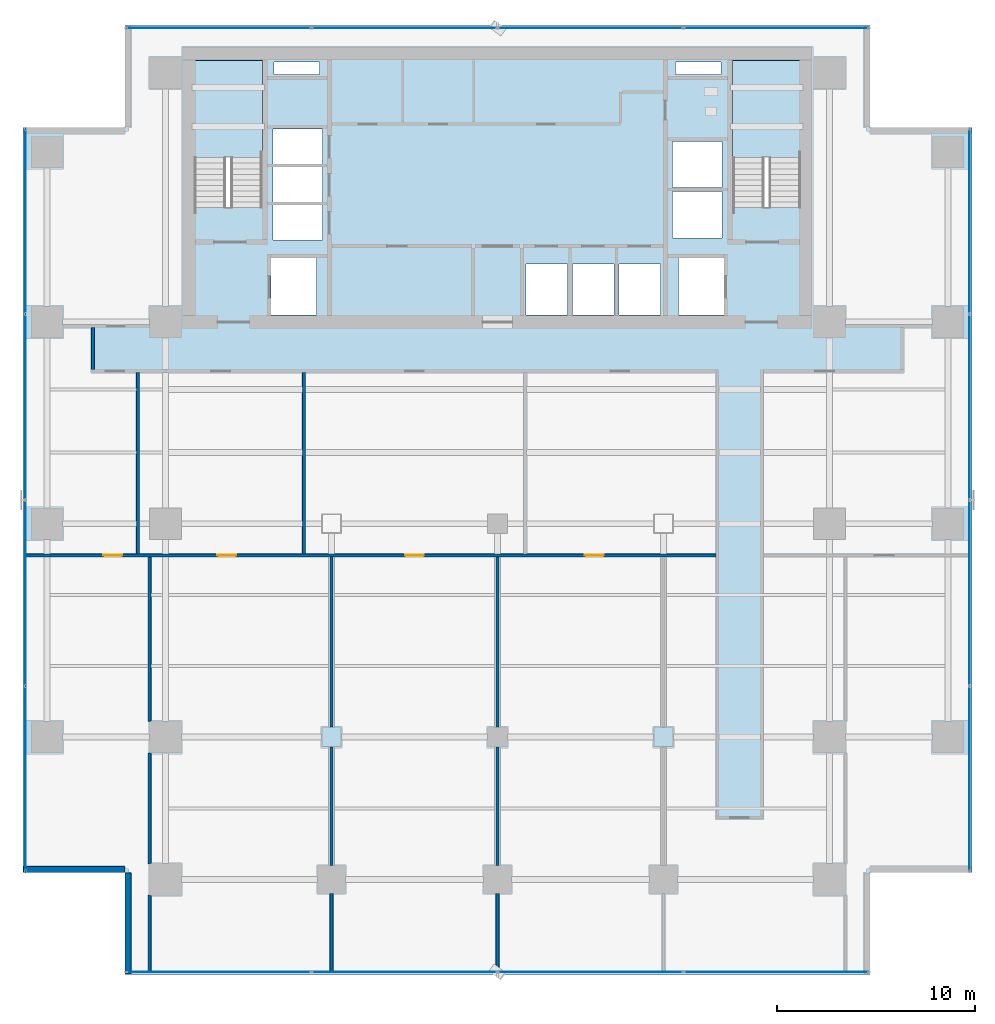
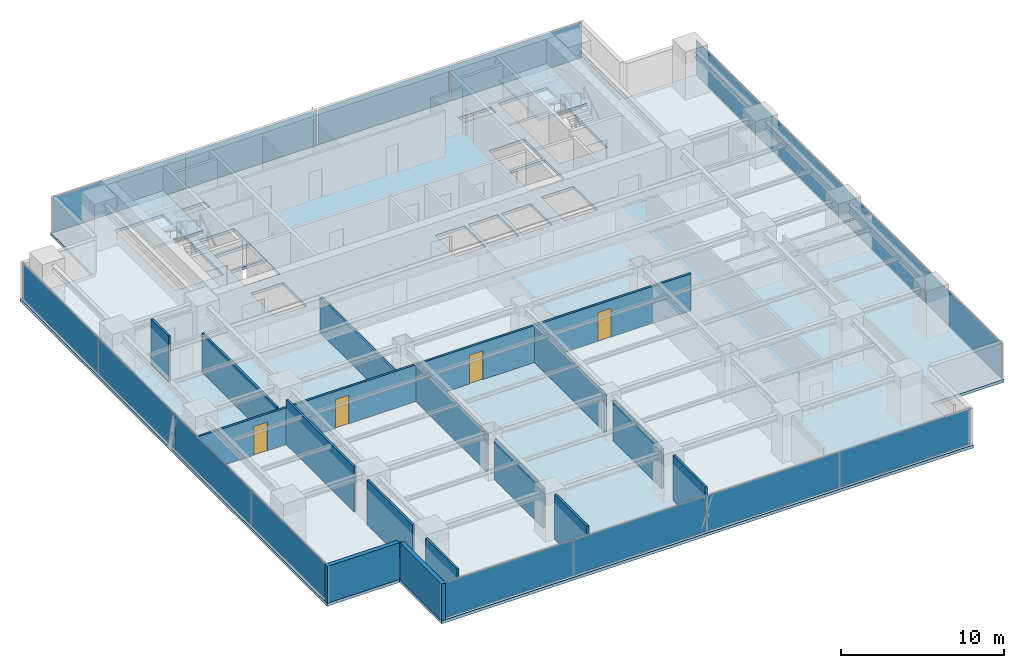
# One storey, part 20 of 28: 16 plates, 15 walls, 4 doors, 3 slabs, 4 openings, 6 elements without a shape of their own.
"""IFC4 building model written with IfcOpenShell, lengths in metres."""

from ifc_helpers import new_model, si_unit, direction, frame, frame_2d, origin, origin_2d, place, context, subcontext, project, spatial, polyline, rectangle, outline, extrude, source, transform, mapped, material, layer, layer_set, type_object, element, fill, aggregate, save


model = new_model("IFC4")

# Units and contexts
model_context = context("Model", 3, precision=1e-05, world=origin(), true_north=direction((0.0, 1.0)))
body_context = subcontext(model_context, "Body", "Model", "MODEL_VIEW")
ifc_project = project(units=[si_unit("LENGTHUNIT", "METRE"), si_unit("AREAUNIT", "SQUARE_METRE"), si_unit("VOLUMEUNIT", "CUBIC_METRE"), si_unit("PLANEANGLEUNIT", "RADIAN"), si_unit("MASSUNIT", "GRAM", prefix="KILO")], contexts=[model_context])

# Site, building, storey
site_placement = place(None, origin())
site = spatial("IfcSite", under=ifc_project, at=site_placement, CompositionType="ELEMENT")
building_placement = place(site_placement, origin())
building = spatial("IfcBuilding", under=site, at=building_placement, Name="Sumidabori Civic Tower", CompositionType="ELEMENT")
storey_placement = place(building_placement, frame((0.0, 0.0, 149.60009765625)))
storey = spatial("IfcBuildingStorey", under=building, at=storey_placement, Name="L38", CompositionType="ELEMENT", Elevation=149.60009765625)

# Stair, slab
ifc_material_1 = material(Name="Concrete C40/50", Category="concrete")
stair_type = type_object("IfcStairType", Name="ST-CORE-1600", PredefinedType="HALF_TURN_STAIR", material=ifc_material_1)
stair_1_placement = place(storey_placement, origin())
stair_1 = element("IfcStair", 1, at=stair_1_placement, inside=storey, type_object=stair_type, Name="L38 ST-1", PredefinedType="HALF_TURN_STAIR")
ifc_layer_1 = layer(ifc_material_1, 0.199951171875, Name="Concrete C40/50")
ifc_layer_set_1 = layer_set([ifc_layer_1], Name="Concrete C40/50")
slab_type_1 = type_object("IfcSlabType", Name="SL-LAND-200", PredefinedType="LANDING", material=ifc_layer_set_1)
slab_1_placement = place(storey_placement, frame((0.0, 0.0, 1.599853515625)))
slab_1 = element("IfcSlab", 2, at=slab_1_placement, type_object=slab_type_1, Name="ST-1 landing 1", PredefinedType="LANDING", context=body_context, shape_type="SweptSolid", body=[
    extrude(outline(polyline([(-11.89990234375, 18.52001953125), (-11.89990234375, 23.449951171875), (-15.340087890625, 23.449951171875), (-15.340087890625, 18.52001953125), (-11.89990234375, 18.52001953125)])), origin(), (0.0, 0.0, 1.0), 0.199951171875),
])
aggregate(stair_1, [slab_1])

stair_2_placement = place(storey_placement, origin())
stair_2 = element("IfcStair", 3, at=stair_2_placement, inside=storey, type_object=stair_type, Name="L38 ST-2", PredefinedType="HALF_TURN_STAIR")
slab_2_placement = place(storey_placement, frame((0.0, 0.0, 1.599853515625)))
slab_2 = element("IfcSlab", 4, at=slab_2_placement, type_object=slab_type_1, Name="ST-2 landing 1", PredefinedType="LANDING", context=body_context, shape_type="SweptSolid", body=[
    extrude(outline(polyline([(15.340087890625, 18.52001953125), (15.340087890625, 23.449951171875), (11.89990234375, 23.449951171875), (11.89990234375, 18.52001953125), (15.340087890625, 18.52001953125)])), origin(), (0.0, 0.0, 1.0), 0.199951171875),
])
aggregate(stair_2, [slab_2])

# Slab
ifc_layer_2 = layer(ifc_material_1, 0.219970703125, Name="Concrete C40/50")
ifc_layer_set_2 = layer_set([ifc_layer_2], Name="Concrete C40/50")
slab_type_2 = type_object("IfcSlabType", Name="SL-Z3-220", PredefinedType="FLOOR", material=ifc_layer_set_2)
slab_3_placement = place(storey_placement, frame((0.0, 0.0, -0.22021484375)))
element("IfcSlab", 5, at=slab_3_placement, inside=storey, type_object=slab_type_2, Name="Structural Slab L38", PredefinedType="FLOOR", context=body_context, shape_type="SweptSolid", body=[
    extrude(outline(polyline([(-18.85009765625, -22.800048828125), (18.85009765625, -22.800048828125), (18.85009765625, -17.64990234375), (24.0, -17.64990234375), (24.0, 20.050048828125), (18.85009765625, 20.050048828125), (18.85009765625, 25.199951171875), (-18.85009765625, 25.199951171875), (-18.85009765625, 20.050048828125), (-24.0, 20.050048828125), (-24.0, -17.64990234375), (-18.85009765625, -17.64990234375), (-18.85009765625, -22.800048828125)]), holes=[polyline([(-11.89990234375, 16.0), (-11.89990234375, 23.449951171875), (-15.340087890625, 23.449951171875), (-15.340087890625, 16.0), (-11.89990234375, 16.0)]), polyline([(15.340087890625, 16.0), (15.340087890625, 23.449951171875), (11.89990234375, 23.449951171875), (11.89990234375, 16.0), (15.340087890625, 16.0)]), polyline([(-11.449951171875, 10.550048828125), (-9.14990234375, 10.550048828125), (-9.14990234375, 13.449951171875), (-11.449951171875, 13.449951171875), (-11.449951171875, 10.550048828125)]), polyline([(9.14990234375, 10.550048828125), (11.449951171875, 10.550048828125), (11.449951171875, 13.449951171875), (9.14990234375, 13.449951171875), (9.14990234375, 10.550048828125)]), polyline([(1.449951171875, 10.550048828125), (3.550048828125, 10.550048828125), (3.550048828125, 13.14990234375), (1.449951171875, 13.14990234375), (1.449951171875, 10.550048828125)]), polyline([(3.800048828125, 10.550048828125), (5.89990234375, 10.550048828125), (5.89990234375, 13.14990234375), (3.800048828125, 13.14990234375), (3.800048828125, 10.550048828125)]), polyline([(6.14990234375, 10.550048828125), (8.25, 10.550048828125), (8.25, 13.14990234375), (6.14990234375, 13.14990234375), (6.14990234375, 10.550048828125)]), polyline([(-11.35009765625, 14.35009765625), (-8.85009765625, 14.35009765625), (-8.85009765625, 16.1201171875), (-11.35009765625, 16.1201171875), (-11.35009765625, 14.35009765625)]), polyline([(-11.35009765625, 16.27001953125), (-8.85009765625, 16.27001953125), (-8.85009765625, 18.0400390625), (-11.35009765625, 18.0400390625), (-11.35009765625, 16.27001953125)]), polyline([(-11.35009765625, 18.18994140625), (-8.85009765625, 18.18994140625), (-8.85009765625, 19.9599609375), (-11.35009765625, 19.9599609375), (-11.35009765625, 18.18994140625)]), polyline([(8.85009765625, 14.449951171875), (11.35009765625, 14.449951171875), (11.35009765625, 16.800048828125), (8.85009765625, 16.800048828125), (8.85009765625, 14.449951171875)]), polyline([(8.85009765625, 17.0), (11.35009765625, 17.0), (11.35009765625, 19.35009765625), (8.85009765625, 19.35009765625), (8.85009765625, 17.0)]), polyline([(-11.300048828125, 22.719970703125), (-9.0, 22.719970703125), (-9.0, 23.35009765625), (-11.300048828125, 23.35009765625), (-11.300048828125, 22.719970703125)]), polyline([(9.0, 22.719970703125), (11.300048828125, 22.719970703125), (11.300048828125, 23.35009765625), (9.0, 23.35009765625), (9.0, 22.719970703125)])]), origin(), (0.0, 0.0, 1.0), 0.22021484375),
])

# Curtain wall, plates
ifc_material_2 = material(Name="Anodised Bronze Aluminium AW-6063-T6", Category="aluminium")
ifc_layer_3 = layer(ifc_material_2, 0.179931640625, Name="Anodised Bronze Aluminium AW-6063-T6")
ifc_layer_set_3 = layer_set([ifc_layer_3], Name="Anodised Bronze Aluminium AW-6063-T6")
curtain_wall_type = type_object("IfcCurtainWallType", Name="CW-SYS-3", PredefinedType="NOTDEFINED", material=ifc_layer_set_3)
curtain_wall_1_placement = place(storey_placement, origin())
curtain_wall_1 = element("IfcCurtainWall", 6, at=curtain_wall_1_placement, inside=storey, type_object=curtain_wall_type, Name="Curtain Wall CW:L38:R01", PredefinedType="NOTDEFINED")
ifc_material_3 = material(Name="Low-E Solar-Control Vision Glazing", Category="glass")
ifc_layer_4 = layer(ifc_material_3, 0.028076171875, Name="Low-E Solar-Control Vision Glazing")
ifc_layer_set_4 = layer_set([ifc_layer_4], Name="Low-E Solar-Control Vision Glazing")
plate_type = type_object("IfcPlateType", Name="CW-PNL-28", PredefinedType="CURTAIN_PANEL", material=ifc_layer_set_4)
shared_shape_1 = source(origin(), body_context, "Body", "SweptSolid", [
    extrude(rectangle(XDim=9.3125, YDim=0.028076171875, at=origin_2d()), origin(), (0.0, 0.0, 1.0), 2.639892578125),
])
plate_1_placement = place(storey_placement, frame((-14.0986328125, -22.679931640625, 0.06005859375), z_axis=(0.0, 0.0, 1.0), x_axis=(1.0, 0.0, 0.0)))
plate_1 = element("IfcPlate", 7, at=plate_1_placement, type_object=plate_type, Name="CW-3 panel 1.1", PredefinedType="CURTAIN_PANEL", context=body_context, shape_type="MappedRepresentation", body=[
    mapped(shared_shape_1, transform((0.0, 0.0, 0.0), x_axis=(1.0, 0.0, 0.0), y_axis=(0.0, 1.0, 0.0), z_axis=(0.0, 0.0, 1.0), scale=1.0)),
])
plate_2_placement = place(storey_placement, frame((14.0986328125, -22.679931640625, 0.06005859375), z_axis=(0.0, 0.0, 1.0), x_axis=(1.0, 0.0, 0.0)))
plate_2 = element("IfcPlate", 8, at=plate_2_placement, type_object=plate_type, Name="CW-3 panel 4.1", PredefinedType="CURTAIN_PANEL", context=body_context, shape_type="MappedRepresentation", body=[
    mapped(shared_shape_1, transform((0.0, 0.0, 0.0), x_axis=(1.0, 0.0, 0.0), y_axis=(0.0, 1.0, 0.0), z_axis=(0.0, 0.0, 1.0), scale=1.0)),
])

curtain_wall_2_placement = place(storey_placement, origin())
curtain_wall_2 = element("IfcCurtainWall", 9, at=curtain_wall_2_placement, inside=storey, type_object=curtain_wall_type, Name="Curtain Wall CW:L38:R04", PredefinedType="NOTDEFINED")
plate_3_placement = place(storey_placement, frame((23.8798828125, -12.898681640625, 0.06005859375), z_axis=(0.0, 0.0, 1.0), x_axis=(0.0, 1.0, 0.0)))
plate_3 = element("IfcPlate", 10, at=plate_3_placement, type_object=plate_type, Name="CW-3 panel 1.1", PredefinedType="CURTAIN_PANEL", context=body_context, shape_type="MappedRepresentation", body=[
    mapped(shared_shape_1, transform((0.0, 0.0, 0.0), x_axis=(1.0, 0.0, 0.0), y_axis=(0.0, 1.0, 0.0), z_axis=(0.0, 0.0, 1.0), scale=1.0)),
])
plate_4_placement = place(storey_placement, frame((23.8798828125, 15.298828125, 0.06005859375), z_axis=(0.0, 0.0, 1.0), x_axis=(0.0, 1.0, 0.0)))
plate_4 = element("IfcPlate", 11, at=plate_4_placement, type_object=plate_type, Name="CW-3 panel 4.1", PredefinedType="CURTAIN_PANEL", context=body_context, shape_type="MappedRepresentation", body=[
    mapped(shared_shape_1, transform((0.0, 0.0, 0.0), x_axis=(1.0, 0.0, 0.0), y_axis=(0.0, 1.0, 0.0), z_axis=(0.0, 0.0, 1.0), scale=1.0)),
])

curtain_wall_3_placement = place(storey_placement, origin())
curtain_wall_3 = element("IfcCurtainWall", 12, at=curtain_wall_3_placement, inside=storey, type_object=curtain_wall_type, Name="Curtain Wall CW:L38:R07", PredefinedType="NOTDEFINED")
plate_5_placement = place(storey_placement, frame((14.0986328125, 25.080078125, 0.06005859375), z_axis=(0.0, 0.0, 1.0), x_axis=(-1.0, 0.0, 0.0)))
plate_5 = element("IfcPlate", 13, at=plate_5_placement, type_object=plate_type, Name="CW-3 panel 1.1", PredefinedType="CURTAIN_PANEL", context=body_context, shape_type="MappedRepresentation", body=[
    mapped(shared_shape_1, transform((0.0, 0.0, 0.0), x_axis=(1.0, 0.0, 0.0), y_axis=(0.0, 1.0, 0.0), z_axis=(0.0, 0.0, 1.0), scale=1.0)),
])
plate_6_placement = place(storey_placement, frame((-14.0986328125, 25.080078125, 0.06005859375), z_axis=(0.0, 0.0, 1.0), x_axis=(-1.0, 0.0, 0.0)))
plate_6 = element("IfcPlate", 14, at=plate_6_placement, type_object=plate_type, Name="CW-3 panel 4.1", PredefinedType="CURTAIN_PANEL", context=body_context, shape_type="MappedRepresentation", body=[
    mapped(shared_shape_1, transform((0.0, 0.0, 0.0), x_axis=(1.0, 0.0, 0.0), y_axis=(0.0, 1.0, 0.0), z_axis=(0.0, 0.0, 1.0), scale=1.0)),
])

curtain_wall_4_placement = place(storey_placement, origin())
curtain_wall_4 = element("IfcCurtainWall", 15, at=curtain_wall_4_placement, inside=storey, type_object=curtain_wall_type, Name="Curtain Wall CW:L38:R10", PredefinedType="NOTDEFINED")
plate_7_placement = place(storey_placement, frame((-23.8798828125, 15.298828125, 0.06005859375), z_axis=(0.0, 0.0, 1.0), x_axis=(0.0, -1.0, 0.0)))
plate_7 = element("IfcPlate", 16, at=plate_7_placement, type_object=plate_type, Name="CW-3 panel 1.1", PredefinedType="CURTAIN_PANEL", context=body_context, shape_type="MappedRepresentation", body=[
    mapped(shared_shape_1, transform((0.0, 0.0, 0.0), x_axis=(1.0, 0.0, 0.0), y_axis=(0.0, 1.0, 0.0), z_axis=(0.0, 0.0, 1.0), scale=1.0)),
])
plate_8_placement = place(storey_placement, frame((-23.8798828125, -12.898681640625, 0.06005859375), z_axis=(0.0, 0.0, 1.0), x_axis=(0.0, -1.0, 0.0)))
plate_8 = element("IfcPlate", 17, at=plate_8_placement, type_object=plate_type, Name="CW-3 panel 4.1", PredefinedType="CURTAIN_PANEL", context=body_context, shape_type="MappedRepresentation", body=[
    mapped(shared_shape_1, transform((0.0, 0.0, 0.0), x_axis=(1.0, 0.0, 0.0), y_axis=(0.0, 1.0, 0.0), z_axis=(0.0, 0.0, 1.0), scale=1.0)),
])

# Plate
shared_shape_2 = source(origin(), body_context, "Body", "SweptSolid", [
    extrude(rectangle(XDim=9.344970703125, YDim=0.028076171875, at=origin_2d()), origin(), (0.0, 0.0, 1.0), 2.639892578125),
])
plate_9_placement = place(storey_placement, frame((-4.705078125, -22.679931640625, 0.06005859375), z_axis=(0.0, 0.0, 1.0), x_axis=(1.0, 0.0, 0.0)))
plate_9 = element("IfcPlate", 18, at=plate_9_placement, type_object=plate_type, Name="CW-3 panel 2.1", PredefinedType="CURTAIN_PANEL", context=body_context, shape_type="MappedRepresentation", body=[
    mapped(shared_shape_2, transform((0.0, 0.0, 0.0), x_axis=(1.0, 0.0, 0.0), y_axis=(0.0, 1.0, 0.0), z_axis=(0.0, 0.0, 1.0), scale=1.0)),
])

plate_10_placement = place(storey_placement, frame((4.705078125, -22.679931640625, 0.06005859375), z_axis=(0.0, 0.0, 1.0), x_axis=(1.0, 0.0, 0.0)))
plate_10 = element("IfcPlate", 19, at=plate_10_placement, type_object=plate_type, Name="CW-3 panel 3.1", PredefinedType="CURTAIN_PANEL", context=body_context, shape_type="MappedRepresentation", body=[
    mapped(shared_shape_2, transform((0.0, 0.0, 0.0), x_axis=(1.0, 0.0, 0.0), y_axis=(0.0, 1.0, 0.0), z_axis=(0.0, 0.0, 1.0), scale=1.0)),
])

aggregate(curtain_wall_1, [plate_1, plate_9, plate_10, plate_2])

plate_11_placement = place(storey_placement, frame((23.8798828125, -3.5048828125, 0.06005859375), z_axis=(0.0, 0.0, 1.0), x_axis=(0.0, 1.0, 0.0)))
plate_11 = element("IfcPlate", 20, at=plate_11_placement, type_object=plate_type, Name="CW-3 panel 2.1", PredefinedType="CURTAIN_PANEL", context=body_context, shape_type="MappedRepresentation", body=[
    mapped(shared_shape_2, transform((0.0, 0.0, 0.0), x_axis=(1.0, 0.0, 0.0), y_axis=(0.0, 1.0, 0.0), z_axis=(0.0, 0.0, 1.0), scale=1.0)),
])

plate_12_placement = place(storey_placement, frame((23.8798828125, 5.905029296875, 0.06005859375), z_axis=(0.0, 0.0, 1.0), x_axis=(0.0, 1.0, 0.0)))
plate_12 = element("IfcPlate", 21, at=plate_12_placement, type_object=plate_type, Name="CW-3 panel 3.1", PredefinedType="CURTAIN_PANEL", context=body_context, shape_type="MappedRepresentation", body=[
    mapped(shared_shape_2, transform((0.0, 0.0, 0.0), x_axis=(1.0, 0.0, 0.0), y_axis=(0.0, 1.0, 0.0), z_axis=(0.0, 0.0, 1.0), scale=1.0)),
])

aggregate(curtain_wall_2, [plate_3, plate_11, plate_12, plate_4])

plate_13_placement = place(storey_placement, frame((4.705078125, 25.080078125, 0.06005859375), z_axis=(0.0, 0.0, 1.0), x_axis=(-1.0, 0.0, 0.0)))
plate_13 = element("IfcPlate", 22, at=plate_13_placement, type_object=plate_type, Name="CW-3 panel 2.1", PredefinedType="CURTAIN_PANEL", context=body_context, shape_type="MappedRepresentation", body=[
    mapped(shared_shape_2, transform((0.0, 0.0, 0.0), x_axis=(1.0, 0.0, 0.0), y_axis=(0.0, 1.0, 0.0), z_axis=(0.0, 0.0, 1.0), scale=1.0)),
])

plate_14_placement = place(storey_placement, frame((-4.705078125, 25.080078125, 0.06005859375), z_axis=(0.0, 0.0, 1.0), x_axis=(-1.0, 0.0, 0.0)))
plate_14 = element("IfcPlate", 23, at=plate_14_placement, type_object=plate_type, Name="CW-3 panel 3.1", PredefinedType="CURTAIN_PANEL", context=body_context, shape_type="MappedRepresentation", body=[
    mapped(shared_shape_2, transform((0.0, 0.0, 0.0), x_axis=(1.0, 0.0, 0.0), y_axis=(0.0, 1.0, 0.0), z_axis=(0.0, 0.0, 1.0), scale=1.0)),
])

aggregate(curtain_wall_3, [plate_5, plate_13, plate_14, plate_6])

plate_15_placement = place(storey_placement, frame((-23.8798828125, 5.905029296875, 0.06005859375), z_axis=(0.0, 0.0, 1.0), x_axis=(0.0, -1.0, 0.0)))
plate_15 = element("IfcPlate", 24, at=plate_15_placement, type_object=plate_type, Name="CW-3 panel 2.1", PredefinedType="CURTAIN_PANEL", context=body_context, shape_type="MappedRepresentation", body=[
    mapped(shared_shape_2, transform((0.0, 0.0, 0.0), x_axis=(1.0, 0.0, 0.0), y_axis=(0.0, 1.0, 0.0), z_axis=(0.0, 0.0, 1.0), scale=1.0)),
])

plate_16_placement = place(storey_placement, frame((-23.8798828125, -3.5048828125, 0.06005859375), z_axis=(0.0, 0.0, 1.0), x_axis=(0.0, -1.0, 0.0)))
plate_16 = element("IfcPlate", 25, at=plate_16_placement, type_object=plate_type, Name="CW-3 panel 3.1", PredefinedType="CURTAIN_PANEL", context=body_context, shape_type="MappedRepresentation", body=[
    mapped(shared_shape_2, transform((0.0, 0.0, 0.0), x_axis=(1.0, 0.0, 0.0), y_axis=(0.0, 1.0, 0.0), z_axis=(0.0, 0.0, 1.0), scale=1.0)),
])

aggregate(curtain_wall_4, [plate_7, plate_15, plate_16, plate_8])

# Walls
ifc_material_4 = material(Name="Precast concrete C40/50", Category="concrete")
ifc_layer_5 = layer(ifc_material_4, 0.300048828125, Name="Precast concrete C40/50")
ifc_layer_set_5 = layer_set([ifc_layer_5], Name="Precast concrete C40/50")
wall_type_1 = type_object("IfcWallType", Name="WL-EXT-POD300", PredefinedType="STANDARD", material=ifc_layer_set_5)
shared_shape_3 = source(origin(), body_context, "Body", "SweptSolid", [
    extrude(rectangle(XDim=5.110107421875, YDim=0.300048828125, at=frame_2d((2.55517578125, 0.0))), origin(), (0.0, 0.0, 1.0), 2.760009765625),
])
wall_1_placement = place(storey_placement, frame((-18.699951171875, -17.669921875, 0.0), z_axis=(0.0, 0.0, 1.0), x_axis=(0.0, -1.0, 0.0)))
element("IfcWall", 26, at=wall_1_placement, inside=storey, type_object=wall_type_1, Name="Notched Corner Spandrel Band L38-12", PredefinedType="STANDARD", context=body_context, shape_type="MappedRepresentation", body=[
    mapped(shared_shape_3, transform((0.0, 0.0, 0.0), x_axis=(1.0, 0.0, 0.0), y_axis=(0.0, 1.0, 0.0), z_axis=(0.0, 0.0, 1.0), scale=1.0)),
])
shared_shape_4 = source(origin(), body_context, "Body", "SweptSolid", [
    extrude(rectangle(XDim=5.10986328125, YDim=0.300048828125, at=frame_2d((2.554931640625, 0.0))), origin(), (0.0, 0.0, 1.0), 2.760009765625),
])
wall_2_placement = place(storey_placement, frame((-23.97998046875, -17.5, 0.0), z_axis=(0.0, 0.0, 1.0), x_axis=(1.0, 0.0, 0.0)))
element("IfcWall", 27, at=wall_2_placement, inside=storey, type_object=wall_type_1, Name="Notched Corner Spandrel Band L38-11", PredefinedType="STANDARD", context=body_context, shape_type="MappedRepresentation", body=[
    mapped(shared_shape_4, transform((0.0, 0.0, 0.0), x_axis=(1.0, 0.0, 0.0), y_axis=(0.0, 1.0, 0.0), z_axis=(0.0, 0.0, 1.0), scale=1.0)),
])
ifc_material_5 = material(Name="Gypsum Plasterboard Acoustic Partition")
ifc_layer_6 = layer(ifc_material_5, 0.14990234375, Name="Gypsum Plasterboard Acoustic Partition")
ifc_layer_set_6 = layer_set([ifc_layer_6], Name="Gypsum Plasterboard Acoustic Partition")
wall_type_2 = type_object("IfcWallType", Name="WL-PART-150", PredefinedType="PARTITIONING", material=ifc_layer_set_6)
shared_shape_5 = source(origin(), body_context, "Body", "SweptSolid", [
    extrude(rectangle(XDim=2.114990234375, YDim=0.14990234375, at=frame_2d((1.0576171875, 0.0))), origin(), (0.0, 0.0, 1.0), 3.3798828125),
])
wall_3_placement = place(storey_placement, frame((-20.47509765625, 7.804931640625, 0.0), z_axis=(0.0, 0.0, 1.0), x_axis=(0.0, 1.0, 0.0)))
element("IfcWall", 28, at=wall_3_placement, inside=storey, type_object=wall_type_2, Name="Interior Partition WL:L38:CORR-VNW", PredefinedType="PARTITIONING", context=body_context, shape_type="MappedRepresentation", body=[
    mapped(shared_shape_5, transform((0.0, 0.0, 0.0), x_axis=(1.0, 0.0, 0.0), y_axis=(0.0, 1.0, 0.0), z_axis=(0.0, 0.0, 1.0), scale=1.0)),
])

# Wall, openings, doors
shared_shape_6 = source(origin(), body_context, "Body", "SweptSolid", [
    extrude(rectangle(XDim=34.89501953125, YDim=0.14990234375, at=frame_2d((17.447509765625, 0.0))), origin(), (0.0, 0.0, 1.0), 2.764892578125),
])
wall_4_placement = place(storey_placement, frame((-23.85009765625, -1.60009765625, 0.0), z_axis=(0.0, 0.0, 1.0), x_axis=(1.0, 0.0, 0.0)))
wall_4 = element("IfcWall", 29, at=wall_4_placement, inside=storey, type_object=wall_type_2, Name="Interior Partition WL:L38:BAND-Y-1", PredefinedType="PARTITIONING", context=body_context, shape_type="MappedRepresentation", body=[
    mapped(shared_shape_6, transform((0.0, 0.0, 0.0), x_axis=(1.0, 0.0, 0.0), y_axis=(0.0, 1.0, 0.0), z_axis=(0.0, 0.0, 1.0), scale=1.0)),
])
opening_1_placement = place(wall_4_placement, frame((3.91259765625, 0.0, 0.0)))
opening_1 = element("IfcOpeningElement", 30, at=opening_1_placement, cuts=wall_4, Name="Opening DR-2", PredefinedType="OPENING", context=body_context, shape_type="SweptSolid", body=[
    extrude(rectangle(XDim=0.949951171875, YDim=2.14990234375, at=frame_2d((0.47509765625, 1.074951171875))), frame((0.0, 0.0869140625, 0.0), z_axis=(0.0, -1.0, 0.0), x_axis=(1.0, 0.0, 0.0)), (0.0, 0.0, 1.0), 0.173828125),
])
opening_2_placement = place(wall_4_placement, frame((9.675048828125, 0.0, 0.0)))
opening_2 = element("IfcOpeningElement", 31, at=opening_2_placement, cuts=wall_4, Name="Opening DR-2", PredefinedType="OPENING", context=body_context, shape_type="SweptSolid", body=[
    extrude(rectangle(XDim=0.949951171875, YDim=2.14990234375, at=frame_2d((0.47509765625, 1.074951171875))), frame((0.0, 0.0869140625, 0.0), z_axis=(0.0, -1.0, 0.0), x_axis=(1.0, 0.0, 0.0)), (0.0, 0.0, 1.0), 0.173828125),
])
opening_3_placement = place(wall_4_placement, frame((19.175048828125, 0.0, 0.0)))
opening_3 = element("IfcOpeningElement", 32, at=opening_3_placement, cuts=wall_4, Name="Opening DR-2", PredefinedType="OPENING", context=body_context, shape_type="SweptSolid", body=[
    extrude(rectangle(XDim=0.949951171875, YDim=2.14990234375, at=frame_2d((0.47509765625, 1.074951171875))), frame((0.0, 0.0869140625, 0.0), z_axis=(0.0, -1.0, 0.0), x_axis=(1.0, 0.0, 0.0)), (0.0, 0.0, 1.0), 0.173828125),
])
opening_4_placement = place(wall_4_placement, frame((28.27490234375, 0.0, 0.0)))
opening_4 = element("IfcOpeningElement", 33, at=opening_4_placement, cuts=wall_4, Name="Opening DR-2", PredefinedType="OPENING", context=body_context, shape_type="SweptSolid", body=[
    extrude(rectangle(XDim=0.949951171875, YDim=2.14990234375, at=frame_2d((0.47509765625, 1.074951171875))), frame((0.0, 0.0869140625, 0.0), z_axis=(0.0, -1.0, 0.0), x_axis=(1.0, 0.0, 0.0)), (0.0, 0.0, 1.0), 0.173828125),
])
ifc_material_6 = material(Name="Japanese Hinoki Timber", Category="wood")
door_type = type_object("IfcDoorType", Name="DR-INT-950", OperationType="NOTDEFINED", PredefinedType="DOOR", material=ifc_material_6)
shared_shape_7 = source(origin(), body_context, "Body", "SweptSolid", [
    extrude(rectangle(XDim=0.949951171875, YDim=2.14990234375, at=frame_2d((0.47509765625, 1.074951171875))), frame((0.0, 0.02490234375, 0.0), z_axis=(0.0, -1.0, 0.0), x_axis=(1.0, 0.0, 0.0)), (0.0, 0.0, 1.0), 0.050048828125),
])
door_1_placement = place(opening_1_placement, origin())
door_1 = element("IfcDoor", 34, at=door_1_placement, inside=storey, type_object=door_type, Name="Door DR:L38:D08", OperationType="SINGLE_SWING_RIGHT", OverallHeight=2.14990234375, OverallWidth=0.949951171875, PredefinedType="DOOR", context=body_context, shape_type="MappedRepresentation", body=[
    mapped(shared_shape_7, transform((0.0, 0.0, 0.0), x_axis=(1.0, 0.0, 0.0), y_axis=(0.0, 1.0, 0.0), z_axis=(0.0, 0.0, 1.0), scale=1.0)),
])
fill(opening_1, door_1)
door_2_placement = place(opening_2_placement, origin())
door_2 = element("IfcDoor", 35, at=door_2_placement, inside=storey, type_object=door_type, Name="Door DR:L38:D10", OperationType="SINGLE_SWING_RIGHT", OverallHeight=2.14990234375, OverallWidth=0.949951171875, PredefinedType="DOOR", context=body_context, shape_type="MappedRepresentation", body=[
    mapped(shared_shape_7, transform((0.0, 0.0, 0.0), x_axis=(1.0, 0.0, 0.0), y_axis=(0.0, 1.0, 0.0), z_axis=(0.0, 0.0, 1.0), scale=1.0)),
])
fill(opening_2, door_2)
door_3_placement = place(opening_3_placement, origin())
door_3 = element("IfcDoor", 36, at=door_3_placement, inside=storey, type_object=door_type, Name="Door DR:L38:D11", OperationType="SINGLE_SWING_LEFT", OverallHeight=2.14990234375, OverallWidth=0.949951171875, PredefinedType="DOOR", context=body_context, shape_type="MappedRepresentation", body=[
    mapped(shared_shape_7, transform((0.0, 0.0, 0.0), x_axis=(1.0, 0.0, 0.0), y_axis=(0.0, 1.0, 0.0), z_axis=(0.0, 0.0, 1.0), scale=1.0)),
])
fill(opening_3, door_3)
door_4_placement = place(opening_4_placement, origin())
door_4 = element("IfcDoor", 37, at=door_4_placement, inside=storey, type_object=door_type, Name="Door DR:L38:D12", OperationType="SINGLE_SWING_RIGHT", OverallHeight=2.14990234375, OverallWidth=0.949951171875, PredefinedType="DOOR", context=body_context, shape_type="MappedRepresentation", body=[
    mapped(shared_shape_7, transform((0.0, 0.0, 0.0), x_axis=(1.0, 0.0, 0.0), y_axis=(0.0, 1.0, 0.0), z_axis=(0.0, 0.0, 1.0), scale=1.0)),
])
fill(opening_4, door_4)

# Walls
shared_shape_8 = source(origin(), body_context, "Body", "SweptSolid", [
    extrude(rectangle(XDim=3.83984375, YDim=0.14990234375, at=frame_2d((1.919921875, 0.0))), origin(), (0.0, 0.0, 1.0), 3.3798828125),
])
wall_5_placement = place(storey_placement, frame((-17.60009765625, -22.64990234375, 0.0), z_axis=(0.0, 0.0, 1.0), x_axis=(0.0, 1.0, 0.0)))
element("IfcWall", 38, at=wall_5_placement, inside=storey, type_object=wall_type_2, Name="Interior Partition WL:L38:VX-S1-1", PredefinedType="PARTITIONING", context=body_context, shape_type="MappedRepresentation", body=[
    mapped(shared_shape_8, transform((0.0, 0.0, 0.0), x_axis=(1.0, 0.0, 0.0), y_axis=(0.0, 1.0, 0.0), z_axis=(0.0, 0.0, 1.0), scale=1.0)),
])
shared_shape_9 = source(origin(), body_context, "Body", "SweptSolid", [
    extrude(rectangle(XDim=5.579833984375, YDim=0.14990234375, at=frame_2d((2.7900390625, 0.0))), origin(), (0.0, 0.0, 1.0), 3.3798828125),
])
wall_6_placement = place(storey_placement, frame((-17.60009765625, -17.18994140625, 0.0), z_axis=(0.0, 0.0, 1.0), x_axis=(0.0, 1.0, 0.0)))
element("IfcWall", 39, at=wall_6_placement, inside=storey, type_object=wall_type_2, Name="Interior Partition WL:L38:VX-S1-2", PredefinedType="PARTITIONING", context=body_context, shape_type="MappedRepresentation", body=[
    mapped(shared_shape_9, transform((0.0, 0.0, 0.0), x_axis=(1.0, 0.0, 0.0), y_axis=(0.0, 1.0, 0.0), z_axis=(0.0, 0.0, 1.0), scale=1.0)),
])
shared_shape_10 = source(origin(), body_context, "Body", "SweptSolid", [
    extrude(rectangle(XDim=8.31005859375, YDim=0.14990234375, at=frame_2d((4.155029296875, 0.0))), origin(), (0.0, 0.0, 1.0), 3.3798828125),
])
wall_7_placement = place(storey_placement, frame((-17.60009765625, -9.989990234375, 0.0), z_axis=(0.0, 0.0, 1.0), x_axis=(0.0, 1.0, 0.0)))
element("IfcWall", 40, at=wall_7_placement, inside=storey, type_object=wall_type_2, Name="Interior Partition WL:L38:VX-S1-3", PredefinedType="PARTITIONING", context=body_context, shape_type="MappedRepresentation", body=[
    mapped(shared_shape_10, transform((0.0, 0.0, 0.0), x_axis=(1.0, 0.0, 0.0), y_axis=(0.0, 1.0, 0.0), z_axis=(0.0, 0.0, 1.0), scale=1.0)),
])
shared_shape_11 = source(origin(), body_context, "Body", "SweptSolid", [
    extrude(rectangle(XDim=3.93994140625, YDim=0.14990234375, at=frame_2d((1.969970703125, 0.0))), origin(), (0.0, 0.0, 1.0), 3.3798828125),
])
for number, where, z_axis, x_axis, name in (
    (41, (-8.39990234375, -22.64990234375, 0.0), (0.0, 0.0, 1.0), (0.0, 1.0, 0.0), "Interior Partition WL:L38:VX-S2-1"),
    (42, (0.0, -22.64990234375, 0.0), (0.0, 0.0, 1.0), (0.0, 1.0, 0.0), "Interior Partition WL:L38:VX-S3-1"),
):
    element("IfcWall", number, at=place(storey_placement, frame(where, z_axis=z_axis, x_axis=x_axis)), inside=storey, type_object=wall_type_2, Name=name, PredefinedType="PARTITIONING", context=body_context, shape_type="MappedRepresentation", body=[
        mapped(shared_shape_11, transform((0.0, 0.0, 0.0), x_axis=(1.0, 0.0, 0.0), y_axis=(0.0, 1.0, 0.0), z_axis=(0.0, 0.0, 1.0), scale=1.0)),
    ])
shared_shape_12 = source(origin(), body_context, "Body", "SweptSolid", [
    extrude(rectangle(XDim=8.610107421875, YDim=0.14990234375, at=frame_2d((4.30517578125, 0.0))), origin(), (0.0, 0.0, 1.0), 2.764892578125),
])
for number, where, z_axis, x_axis, name in (
    (43, (-8.39990234375, -10.2900390625, 0.0), (0.0, 0.0, 1.0), (0.0, 1.0, 0.0), "Interior Partition WL:L38:VX-S2-3"),
    (44, (0.0, -10.2900390625, 0.0), (0.0, 0.0, 1.0), (0.0, 1.0, 0.0), "Interior Partition WL:L38:VX-S3-3"),
):
    element("IfcWall", number, at=place(storey_placement, frame(where, z_axis=z_axis, x_axis=x_axis)), inside=storey, type_object=wall_type_2, Name=name, PredefinedType="PARTITIONING", context=body_context, shape_type="MappedRepresentation", body=[
        mapped(shared_shape_12, transform((0.0, 0.0, 0.0), x_axis=(1.0, 0.0, 0.0), y_axis=(0.0, 1.0, 0.0), z_axis=(0.0, 0.0, 1.0), scale=1.0)),
    ])
shared_shape_13 = source(origin(), body_context, "Body", "SweptSolid", [
    extrude(rectangle(XDim=9.1650390625, YDim=0.14990234375, at=frame_2d((4.58251953125, 0.0))), origin(), (0.0, 0.0, 1.0), 2.914794921875),
])
wall_8_placement = place(storey_placement, frame((-18.199951171875, -1.52001953125, 0.0), z_axis=(0.0, 0.0, 1.0), x_axis=(0.0, 1.0, 0.0)))
element("IfcWall", 45, at=wall_8_placement, inside=storey, type_object=wall_type_2, Name="Interior Partition WL:L38:VX-N1", PredefinedType="PARTITIONING", context=body_context, shape_type="MappedRepresentation", body=[
    mapped(shared_shape_13, transform((0.0, 0.0, 0.0), x_axis=(1.0, 0.0, 0.0), y_axis=(0.0, 1.0, 0.0), z_axis=(0.0, 0.0, 1.0), scale=1.0)),
])
shared_shape_14 = source(origin(), body_context, "Body", "SweptSolid", [
    extrude(rectangle(XDim=9.1650390625, YDim=0.14990234375, at=frame_2d((4.58251953125, 0.0))), origin(), (0.0, 0.0, 1.0), 2.664794921875),
])
wall_9_placement = place(storey_placement, frame((-9.800048828125, -1.52001953125, 0.0), z_axis=(0.0, 0.0, 1.0), x_axis=(0.0, 1.0, 0.0)))
element("IfcWall", 46, at=wall_9_placement, inside=storey, type_object=wall_type_2, Name="Interior Partition WL:L38:VX-N2", PredefinedType="PARTITIONING", context=body_context, shape_type="MappedRepresentation", body=[
    mapped(shared_shape_14, transform((0.0, 0.0, 0.0), x_axis=(1.0, 0.0, 0.0), y_axis=(0.0, 1.0, 0.0), z_axis=(0.0, 0.0, 1.0), scale=1.0)),
])
shared_shape_15 = source(origin(), body_context, "Body", "SweptSolid", [
    extrude(rectangle(XDim=5.97998046875, YDim=0.14990234375, at=frame_2d((2.989990234375, 0.0))), origin(), (0.0, 0.0, 1.0), 2.96484375),
])
for number, where, z_axis, x_axis, name in (
    (47, (-8.39990234375, -17.2900390625, 0.0), (0.0, 0.0, 1.0), (0.0, 1.0, 0.0), "Interior Partition WL:L38:VX-S2-2"),
    (48, (0.0, -17.2900390625, 0.0), (0.0, 0.0, 1.0), (0.0, 1.0, 0.0), "Interior Partition WL:L38:VX-S3-2"),
):
    element("IfcWall", number, at=place(storey_placement, frame(where, z_axis=z_axis, x_axis=x_axis)), inside=storey, type_object=wall_type_2, Name=name, PredefinedType="PARTITIONING", context=body_context, shape_type="MappedRepresentation", body=[
        mapped(shared_shape_15, transform((0.0, 0.0, 0.0), x_axis=(1.0, 0.0, 0.0), y_axis=(0.0, 1.0, 0.0), z_axis=(0.0, 0.0, 1.0), scale=1.0)),
    ])

save(model, "model.ifc")
